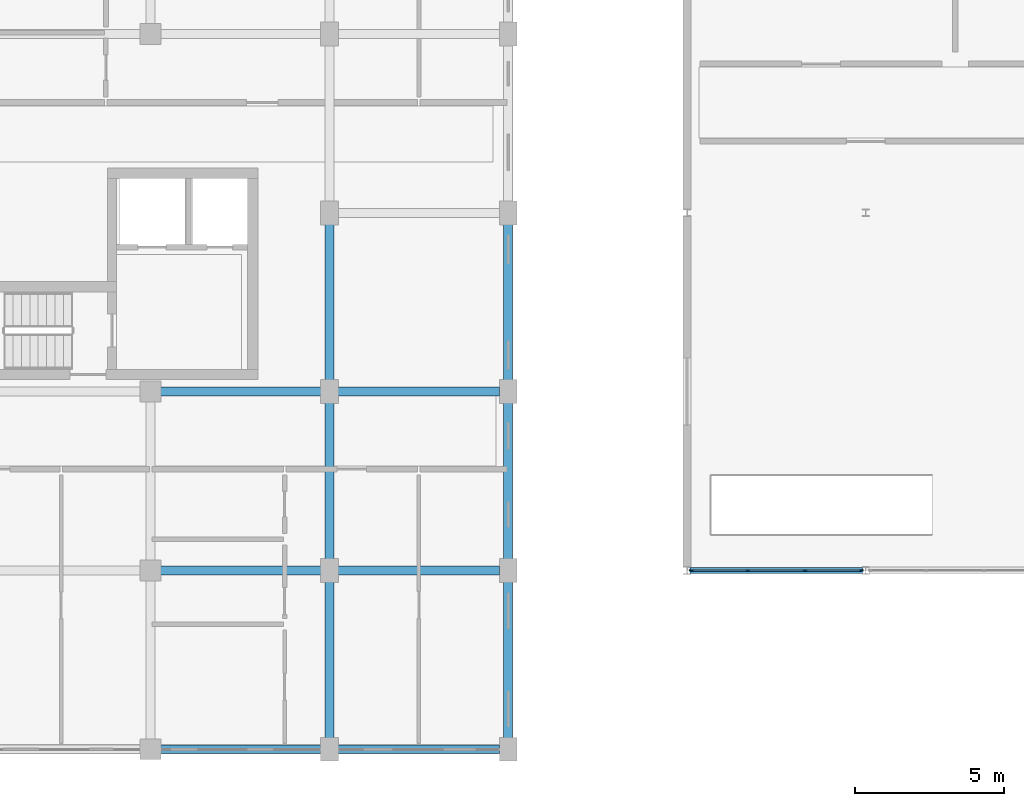
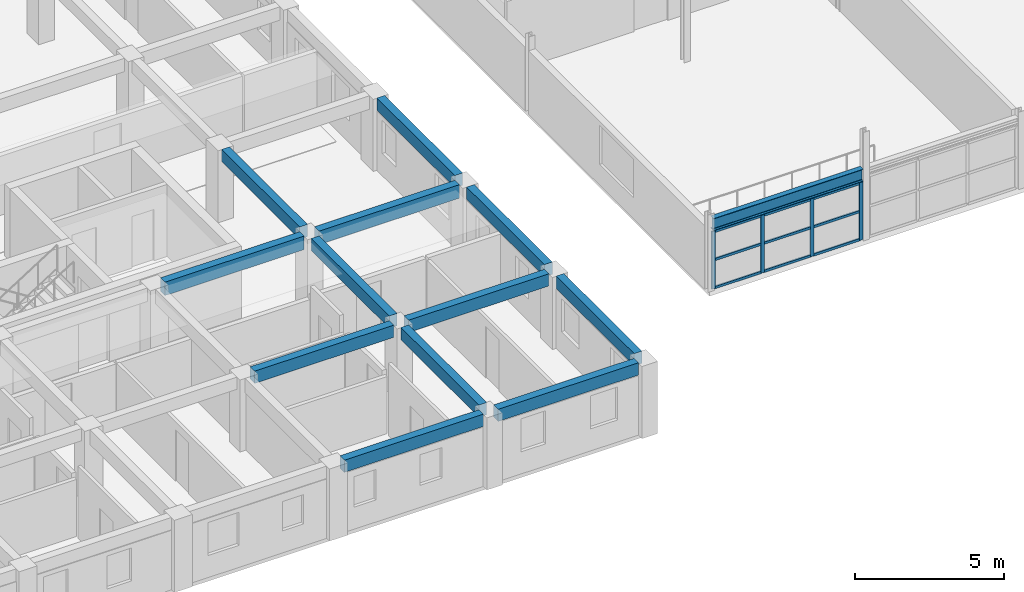
# One storey, part 56 of 137: 13 beams, 13 members, 1 element without a shape of its own.
"""IFC4 building model written with IfcOpenShell, lengths in metres."""

from ifc_helpers import new_model, si_unit, direction, frame, origin, origin_2d, place, context, subcontext, project, spatial, rectangle, i_section, extrude, material, layer, layer_set, material_profile, profile_set, type_object, element, aggregate, save


model = new_model("IFC4")

# Units and contexts
model_context = context("Model", 3, precision=1e-05, world=origin(), true_north=direction((0.0, 1.0)))
body_context = subcontext(model_context, "Body", "Model", "MODEL_VIEW")
ifc_project = project(units=[si_unit("LENGTHUNIT", "METRE"), si_unit("AREAUNIT", "SQUARE_METRE"), si_unit("VOLUMEUNIT", "CUBIC_METRE"), si_unit("PLANEANGLEUNIT", "RADIAN"), si_unit("MASSUNIT", "GRAM", prefix="KILO"), si_unit("POWERUNIT", "WATT"), si_unit("THERMODYNAMICTEMPERATUREUNIT", "KELVIN")], contexts=[model_context])

# Site, building, storey
site_placement = place(None, origin())
site = spatial("IfcSite", under=ifc_project, at=site_placement, CompositionType="ELEMENT")
building_placement = place(site_placement, origin())
building = spatial("IfcBuilding", under=site, at=building_placement, Name="Ruvembo Vaulted Housing Court", CompositionType="ELEMENT")
storey_placement = place(building_placement, frame((0.0, 0.0, 4.5)))
storey = spatial("IfcBuildingStorey", under=building, at=storey_placement, Name="L01", CompositionType="ELEMENT", Elevation=4.5)

# Beams
ifc_material_1 = material(Name="Concrete C35/45", Category="concrete")
ifc_material_profile_1 = material_profile(ifc_material_1, rectangle(XDim=0.300048828125, YDim=0.550048828125, at=origin_2d()), Name="RC 300x550")
ifc_profile_set_1 = profile_set([ifc_material_profile_1], Name="Concrete C35/45")
beam_type_1 = type_object("IfcBeamType", Name="BM-RC-300x550", PredefinedType="BEAM", material=ifc_profile_set_1)
beam_1_placement = place(storey_placement, frame((126.3349609375, 12.0, 2.669921875), z_axis=(1.0, 0.0, 0.0), x_axis=(0.0, 1.0, 0.0)))
element("IfcBeam", 1, at=beam_1_placement, inside=storey, type_object=beam_type_1, Name="L01 Grid Beam X #1164", PredefinedType="BEAM", context=body_context, shape_type="SweptSolid", body=[
    extrude(rectangle(XDim=0.300048828125, YDim=0.550048828125, at=origin_2d()), origin(), (0.0, 0.0, 1.0), 5.380126953125),
])
beam_2_placement = place(storey_placement, frame((132.284912109375, 12.0, 2.669921875), z_axis=(1.0, 0.0, 0.0), x_axis=(0.0, 1.0, 0.0)))
element("IfcBeam", 2, at=beam_2_placement, inside=storey, type_object=beam_type_1, Name="L01 Grid Beam X #1165", PredefinedType="BEAM", context=body_context, shape_type="SweptSolid", body=[
    extrude(rectangle(XDim=0.300048828125, YDim=0.550048828125, at=origin_2d()), origin(), (0.0, 0.0, 1.0), 5.43017578125),
])
ifc_material_2 = material(Name="Steel S355J2", Category="steel")
ifc_material_profile_2 = material_profile(ifc_material_2, i_section(OverallWidth=0.199951171875, OverallDepth=0.5, WebThickness=0.01025390625, FlangeThickness=0.01611328125, FilletRadius=0.02099609375, at=origin_2d()), Name="IPE 500")
ifc_profile_set_2 = profile_set([ifc_material_profile_2], Name="Steel S355J2")
beam_type_2 = type_object("IfcBeamType", Name="BM-ST-IPE500", PredefinedType="BEAM", material=ifc_profile_set_2)
beam_3_placement = place(storey_placement, frame((144.10498046875, 6.0, 2.676025390625), z_axis=(1.0, 0.0, 0.0), x_axis=(0.0, 1.0, 0.0)))
element("IfcBeam", 3, at=beam_3_placement, inside=storey, type_object=beam_type_2, Name="L01 Grid Beam X #1150", PredefinedType="BEAM", context=body_context, shape_type="SweptSolid", body=[
    extrude(i_section(OverallWidth=0.199951171875, OverallDepth=0.5, WebThickness=0.01025390625, FlangeThickness=0.01611328125, FilletRadius=0.02099609375, at=origin_2d()), origin(), (0.0, 0.0, 1.0), 5.7900390625),
])

# Curtain wall, members
ifc_material_3 = material(Name="Anodised Aluminium and Solar-Control Glass", Category="aluminium")
ifc_layer = layer(ifc_material_3, 0.139892578125, Name="Anodised Aluminium and Solar-Control Glass")
ifc_layer_set = layer_set([ifc_layer], Name="Anodised Aluminium and Solar-Control Glass")
curtain_wall_type = type_object("IfcCurtainWallType", Name="CW-SHOPFRONT-U", PredefinedType="NOTDEFINED", material=ifc_layer_set)
curtain_wall_placement = place(storey_placement, origin())
curtain_wall = element("IfcCurtainWall", 4, at=curtain_wall_placement, inside=storey, type_object=curtain_wall_type, Name="L01 Curtain Wall CW-L01-0140", PredefinedType="NOTDEFINED")
ifc_material_4 = material(Name="Anodised Aluminium 6063-T6", Category="aluminium")
ifc_material_profile_3 = material_profile(ifc_material_4, rectangle(XDim=0.06005859375, YDim=0.139892578125, at=origin_2d()), Name="ALU 60x140")
ifc_profile_set_3 = profile_set([ifc_material_profile_3], Name="Anodised Aluminium 6063-T6")
member_type_1 = type_object("IfcMemberType", Name="CW-MUL-60x140", PredefinedType="MULLION", material=ifc_profile_set_3)
member_1_placement = place(storey_placement, frame((144.14990234375, 6.0, 0.0), z_axis=(0.0, 0.0, 1.0), x_axis=(0.0, 1.0, 0.0)))
member_1 = element("IfcMember", 5, at=member_1_placement, type_object=member_type_1, Name="CW8 mullion 1", PredefinedType="MULLION", context=body_context, shape_type="SweptSolid", body=[
    extrude(rectangle(XDim=0.06005859375, YDim=0.139892578125, at=origin_2d()), origin(), (0.0, 0.0, 1.0), 2.35791015625),
])
member_2_placement = place(storey_placement, frame((146.0400390625, 6.0, 0.0), z_axis=(0.0, 0.0, 1.0), x_axis=(0.0, 1.0, 0.0)))
member_2 = element("IfcMember", 6, at=member_2_placement, type_object=member_type_1, Name="CW8 mullion 2", PredefinedType="MULLION", context=body_context, shape_type="SweptSolid", body=[
    extrude(rectangle(XDim=0.06005859375, YDim=0.139892578125, at=origin_2d()), origin(), (0.0, 0.0, 1.0), 2.35791015625),
])
member_3_placement = place(storey_placement, frame((147.9599609375, 6.0, 0.0), z_axis=(0.0, 0.0, 1.0), x_axis=(0.0, 1.0, 0.0)))
member_3 = element("IfcMember", 7, at=member_3_placement, type_object=member_type_1, Name="CW8 mullion 3", PredefinedType="MULLION", context=body_context, shape_type="SweptSolid", body=[
    extrude(rectangle(XDim=0.06005859375, YDim=0.139892578125, at=origin_2d()), origin(), (0.0, 0.0, 1.0), 2.35791015625),
])
member_4_placement = place(storey_placement, frame((149.85009765625, 6.0, 0.0), z_axis=(0.0, 0.0, 1.0), x_axis=(0.0, 1.0, 0.0)))
member_4 = element("IfcMember", 8, at=member_4_placement, type_object=member_type_1, Name="CW8 mullion 4", PredefinedType="MULLION", context=body_context, shape_type="SweptSolid", body=[
    extrude(rectangle(XDim=0.06005859375, YDim=0.139892578125, at=origin_2d()), origin(), (0.0, 0.0, 1.0), 2.35791015625),
])
ifc_material_profile_4 = material_profile(ifc_material_4, rectangle(XDim=0.06005859375, YDim=0.10009765625, at=origin_2d()), Name="ALU 60x100")
ifc_profile_set_4 = profile_set([ifc_material_profile_4], Name="Anodised Aluminium 6063-T6")
member_type_2 = type_object("IfcMemberType", Name="CW-TRN-60x100", PredefinedType="USERDEFINED", material=ifc_profile_set_4)
member_5_placement = place(storey_placement, frame((144.179931640625, 6.0, 0.030029296875), z_axis=(1.0, 0.0, 0.0), x_axis=(0.0, 1.0, 0.0)))
member_5 = element("IfcMember", 9, at=member_5_placement, type_object=member_type_2, Name="CW8 transom 1.1", ObjectType="TRANSOM", PredefinedType="USERDEFINED", context=body_context, shape_type="SweptSolid", body=[
    extrude(rectangle(XDim=0.06005859375, YDim=0.10009765625, at=origin_2d()), origin(), (0.0, 0.0, 1.0), 1.830078125),
])
member_6_placement = place(storey_placement, frame((144.179931640625, 6.0, 1.178955078125), z_axis=(1.0, 0.0, 0.0), x_axis=(0.0, 1.0, 0.0)))
member_6 = element("IfcMember", 10, at=member_6_placement, type_object=member_type_2, Name="CW8 transom 1.2", ObjectType="TRANSOM", PredefinedType="USERDEFINED", context=body_context, shape_type="SweptSolid", body=[
    extrude(rectangle(XDim=0.06005859375, YDim=0.10009765625, at=origin_2d()), origin(), (0.0, 0.0, 1.0), 1.830078125),
])
member_7_placement = place(storey_placement, frame((144.179931640625, 6.0, 2.327880859375), z_axis=(1.0, 0.0, 0.0), x_axis=(0.0, 1.0, 0.0)))
member_7 = element("IfcMember", 11, at=member_7_placement, type_object=member_type_2, Name="CW8 transom 1.3", ObjectType="TRANSOM", PredefinedType="USERDEFINED", context=body_context, shape_type="SweptSolid", body=[
    extrude(rectangle(XDim=0.06005859375, YDim=0.10009765625, at=origin_2d()), origin(), (0.0, 0.0, 1.0), 1.830078125),
])
member_8_placement = place(storey_placement, frame((146.070068359375, 6.0, 0.030029296875), z_axis=(1.0, 0.0, 0.0), x_axis=(0.0, 1.0, 0.0)))
member_8 = element("IfcMember", 12, at=member_8_placement, type_object=member_type_2, Name="CW8 transom 2.1", ObjectType="TRANSOM", PredefinedType="USERDEFINED", context=body_context, shape_type="SweptSolid", body=[
    extrude(rectangle(XDim=0.06005859375, YDim=0.10009765625, at=origin_2d()), origin(), (0.0, 0.0, 1.0), 1.85986328125),
])
member_9_placement = place(storey_placement, frame((146.070068359375, 6.0, 1.178955078125), z_axis=(1.0, 0.0, 0.0), x_axis=(0.0, 1.0, 0.0)))
member_9 = element("IfcMember", 13, at=member_9_placement, type_object=member_type_2, Name="CW8 transom 2.2", ObjectType="TRANSOM", PredefinedType="USERDEFINED", context=body_context, shape_type="SweptSolid", body=[
    extrude(rectangle(XDim=0.06005859375, YDim=0.10009765625, at=origin_2d()), origin(), (0.0, 0.0, 1.0), 1.85986328125),
])
member_10_placement = place(storey_placement, frame((146.070068359375, 6.0, 2.327880859375), z_axis=(1.0, 0.0, 0.0), x_axis=(0.0, 1.0, 0.0)))
member_10 = element("IfcMember", 14, at=member_10_placement, type_object=member_type_2, Name="CW8 transom 2.3", ObjectType="TRANSOM", PredefinedType="USERDEFINED", context=body_context, shape_type="SweptSolid", body=[
    extrude(rectangle(XDim=0.06005859375, YDim=0.10009765625, at=origin_2d()), origin(), (0.0, 0.0, 1.0), 1.85986328125),
])
member_11_placement = place(storey_placement, frame((147.989990234375, 6.0, 0.030029296875), z_axis=(1.0, 0.0, 0.0), x_axis=(0.0, 1.0, 0.0)))
member_11 = element("IfcMember", 15, at=member_11_placement, type_object=member_type_2, Name="CW8 transom 3.1", ObjectType="TRANSOM", PredefinedType="USERDEFINED", context=body_context, shape_type="SweptSolid", body=[
    extrude(rectangle(XDim=0.06005859375, YDim=0.10009765625, at=origin_2d()), origin(), (0.0, 0.0, 1.0), 1.830078125),
])
member_12_placement = place(storey_placement, frame((147.989990234375, 6.0, 1.178955078125), z_axis=(1.0, 0.0, 0.0), x_axis=(0.0, 1.0, 0.0)))
member_12 = element("IfcMember", 16, at=member_12_placement, type_object=member_type_2, Name="CW8 transom 3.2", ObjectType="TRANSOM", PredefinedType="USERDEFINED", context=body_context, shape_type="SweptSolid", body=[
    extrude(rectangle(XDim=0.06005859375, YDim=0.10009765625, at=origin_2d()), origin(), (0.0, 0.0, 1.0), 1.830078125),
])
member_13_placement = place(storey_placement, frame((147.989990234375, 6.0, 2.327880859375), z_axis=(1.0, 0.0, 0.0), x_axis=(0.0, 1.0, 0.0)))
member_13 = element("IfcMember", 17, at=member_13_placement, type_object=member_type_2, Name="CW8 transom 3.3", ObjectType="TRANSOM", PredefinedType="USERDEFINED", context=body_context, shape_type="SweptSolid", body=[
    extrude(rectangle(XDim=0.06005859375, YDim=0.10009765625, at=origin_2d()), origin(), (0.0, 0.0, 1.0), 1.830078125),
])
aggregate(curtain_wall, [member_1, member_2, member_3, member_4, member_5, member_6, member_7, member_8, member_9, member_10, member_11, member_12, member_13])

# Beams
ifc_material_profile_5 = material_profile(ifc_material_1, rectangle(XDim=0.300048828125, YDim=0.5, at=origin_2d()), Name="RC 300x500")
ifc_profile_set_5 = profile_set([ifc_material_profile_5], Name="Concrete C35/45")
beam_type_3 = type_object("IfcBeamType", Name="SP-RC-300x500", PredefinedType="SPANDREL", material=ifc_profile_set_5)
beam_4_placement = place(storey_placement, frame((126.3349609375, 0.0, 2.695068359375), z_axis=(1.0, 0.0, 0.0), x_axis=(0.0, 1.0, 0.0)))
element("IfcBeam", 18, at=beam_4_placement, inside=storey, type_object=beam_type_3, Name="L01 Grid Beam X #1136", PredefinedType="SPANDREL", context=body_context, shape_type="SweptSolid", body=[
    extrude(rectangle(XDim=0.300048828125, YDim=0.5, at=origin_2d()), origin(), (0.0, 0.0, 1.0), 5.380126953125),
])
beam_5_placement = place(storey_placement, frame((132.284912109375, 0.0, 2.695068359375), z_axis=(1.0, 0.0, 0.0), x_axis=(0.0, 1.0, 0.0)))
element("IfcBeam", 19, at=beam_5_placement, inside=storey, type_object=beam_type_3, Name="L01 Grid Beam X #1137", PredefinedType="SPANDREL", context=body_context, shape_type="SweptSolid", body=[
    extrude(rectangle(XDim=0.300048828125, YDim=0.5, at=origin_2d()), origin(), (0.0, 0.0, 1.0), 5.43017578125),
])
beam_6_placement = place(storey_placement, frame((126.3349609375, 6.0, 2.695068359375), z_axis=(1.0, 0.0, 0.0), x_axis=(0.0, 1.0, 0.0)))
element("IfcBeam", 20, at=beam_6_placement, inside=storey, type_object=beam_type_3, Name="L01 Grid Beam X #1148", PredefinedType="SPANDREL", context=body_context, shape_type="SweptSolid", body=[
    extrude(rectangle(XDim=0.300048828125, YDim=0.5, at=origin_2d()), origin(), (0.0, 0.0, 1.0), 5.380126953125),
])
beam_7_placement = place(storey_placement, frame((132.284912109375, 6.0, 2.695068359375), z_axis=(1.0, 0.0, 0.0), x_axis=(0.0, 1.0, 0.0)))
element("IfcBeam", 21, at=beam_7_placement, inside=storey, type_object=beam_type_3, Name="L01 Grid Beam X #1149", PredefinedType="SPANDREL", context=body_context, shape_type="SweptSolid", body=[
    extrude(rectangle(XDim=0.300048828125, YDim=0.5, at=origin_2d()), origin(), (0.0, 0.0, 1.0), 5.43017578125),
])
for number, where, z_axis, x_axis, name in (
    (22, (132.0, 0.385009765625, 2.695068359375), (0.0, 1.0, 0.0), (-1.0, 0.0, 0.0), "L01 Grid Beam Y #1409"),
    (23, (132.0, 6.385009765625, 2.695068359375), (0.0, 1.0, 0.0), (-1.0, 0.0, 0.0), "L01 Grid Beam Y #1410"),
    (24, (132.0, 12.385009765625, 2.695068359375), (0.0, 1.0, 0.0), (-1.0, 0.0, 0.0), "L01 Grid Beam Y #1411"),
    (25, (138.0, 0.385009765625, 2.695068359375), (0.0, 1.0, 0.0), (-1.0, 0.0, 0.0), "L01 Grid Beam Y #1415"),
    (26, (138.0, 6.385009765625, 2.695068359375), (0.0, 1.0, 0.0), (-1.0, 0.0, 0.0), "L01 Grid Beam Y #1416"),
    (27, (138.0, 12.385009765625, 2.695068359375), (0.0, 1.0, 0.0), (-1.0, 0.0, 0.0), "L01 Grid Beam Y #1417"),
):
    element("IfcBeam", number, at=place(storey_placement, frame(where, z_axis=z_axis, x_axis=x_axis)), inside=storey, type_object=beam_type_3, Name=name, PredefinedType="SPANDREL", context=body_context, shape_type="SweptSolid", body=[
        extrude(rectangle(XDim=0.300048828125, YDim=0.5, at=origin_2d()), origin(), (0.0, 0.0, 1.0), 5.22998046875),
    ])

save(model, "model.ifc")
